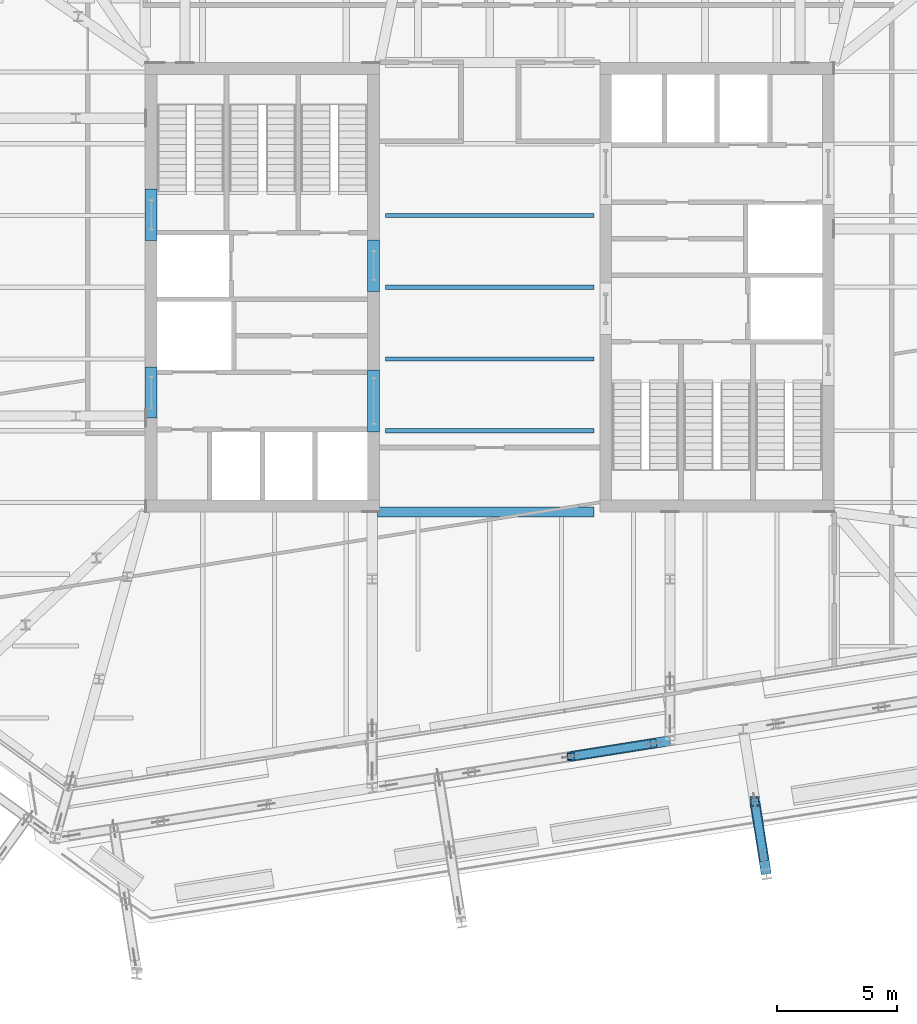
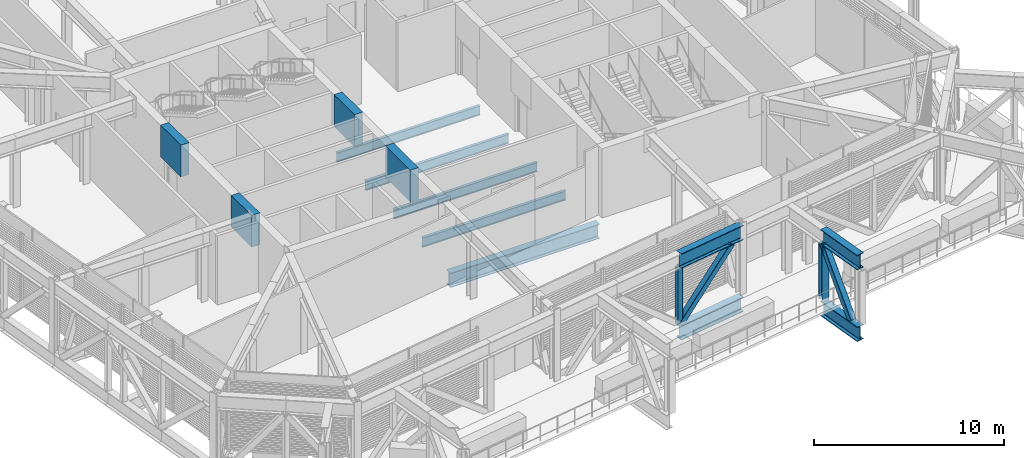
# One storey, part 8 of 35: 13 beams, 4 members.
"""IFC4 building model written with IfcOpenShell, lengths in metres."""

from ifc_helpers import new_model, si_unit, direction, frame, origin, origin_2d, place, context, subcontext, project, spatial, rectangle, hollow_rectangle, i_section, extrude, material, material_profile, profile_set, type_object, element, save


model = new_model("IFC4")

# Units and contexts
model_context = context("Model", 3, precision=1e-05, world=origin(), true_north=direction((0.0, 1.0)))
body_context = subcontext(model_context, "Body", "Model", "MODEL_VIEW")
ifc_project = project(units=[si_unit("LENGTHUNIT", "METRE"), si_unit("AREAUNIT", "SQUARE_METRE"), si_unit("VOLUMEUNIT", "CUBIC_METRE"), si_unit("PLANEANGLEUNIT", "RADIAN"), si_unit("MASSUNIT", "GRAM", prefix="KILO")], contexts=[model_context])

# Site, building, storey
site_placement = place(None, origin())
site = spatial("IfcSite", under=ifc_project, at=site_placement, CompositionType="ELEMENT")
building_placement = place(site_placement, origin())
building = spatial("IfcBuilding", under=site, at=building_placement, Name="Millrace Tower", CompositionType="ELEMENT")
storey_placement = place(building_placement, frame((0.0, 0.0, 200.10009765625)))
storey = spatial("IfcBuildingStorey", under=building, at=storey_placement, Name="L45", CompositionType="ELEMENT", Elevation=200.10009765625)

# Beams
ifc_material_1 = material(Name="Concrete C60", Category="concrete")
ifc_material_profile_1 = material_profile(ifc_material_1, rectangle(XDim=0.5, YDim=2.0400390625, at=origin_2d()))
ifc_profile_set_1 = profile_set([ifc_material_profile_1], Name="Concrete C60")
beam_type_1 = type_object("IfcBeamType", Name="Coupling beam 500 x 2040 Concrete C60, 1300 opening", PredefinedType="BEAM", material=ifc_profile_set_1)
beam_1_placement = place(storey_placement, frame((-14.14990234375, 1.958984375, 3.419921875), z_axis=(0.0, 1.0, 0.0), x_axis=(-1.0, 0.0, 0.0)))
element("IfcBeam", 1, at=beam_1_placement, inside=storey, type_object=beam_type_1, Name="Coupling beam W L45", PredefinedType="BEAM", context=body_context, shape_type="SweptSolid", body=[
    extrude(rectangle(XDim=0.5, YDim=2.0400390625, at=origin_2d()), origin(), (0.0, 0.0, 1.0), 2.14208984375),
])
beam_2_placement = place(storey_placement, frame((-4.85009765625, -0.1708984375, 3.419921875), z_axis=(0.0, 1.0, 0.0), x_axis=(-1.0, 0.0, 0.0)))
element("IfcBeam", 2, at=beam_2_placement, inside=storey, type_object=beam_type_1, Name="Coupling beam W L45", PredefinedType="BEAM", context=body_context, shape_type="SweptSolid", body=[
    extrude(rectangle(XDim=0.5, YDim=2.0400390625, at=origin_2d()), origin(), (0.0, 0.0, 1.0), 2.141845703125),
])
ifc_material_2 = material(Name="Concrete C60", Category="concrete")
ifc_material_profile_2 = material_profile(ifc_material_2, rectangle(XDim=0.5, YDim=2.0400390625, at=origin_2d()))
ifc_profile_set_2 = profile_set([ifc_material_profile_2], Name="Concrete C60")
beam_type_2 = type_object("IfcBeamType", Name="Coupling beam 500 x 2040 Concrete C60, 1400 opening", PredefinedType="BEAM", material=ifc_profile_set_2)
beam_3_placement = place(storey_placement, frame((-14.14990234375, -5.470947265625, 3.419921875), z_axis=(0.0, 1.0, 0.0), x_axis=(-1.0, 0.0, 0.0)))
element("IfcBeam", 3, at=beam_3_placement, inside=storey, type_object=beam_type_2, Name="Coupling beam W L45", PredefinedType="BEAM", context=body_context, shape_type="SweptSolid", body=[
    extrude(rectangle(XDim=0.5, YDim=2.0400390625, at=origin_2d()), origin(), (0.0, 0.0, 1.0), 2.141845703125),
])
ifc_material_3 = material(Name="Concrete C60", Category="concrete")
ifc_material_profile_3 = material_profile(ifc_material_3, rectangle(XDim=0.5, YDim=2.0400390625, at=origin_2d()))
ifc_profile_set_3 = profile_set([ifc_material_profile_3], Name="Concrete C60")
beam_type_3 = type_object("IfcBeamType", Name="Coupling beam 500 x 2040 Concrete C60, 2000 opening", PredefinedType="BEAM", material=ifc_profile_set_3)
beam_4_placement = place(storey_placement, frame((-4.85009765625, -6.050048828125, 3.419921875), z_axis=(0.0, 1.0, 0.0), x_axis=(-1.0, 0.0, 0.0)))
element("IfcBeam", 4, at=beam_4_placement, inside=storey, type_object=beam_type_3, Name="Coupling beam W L45", PredefinedType="BEAM", context=body_context, shape_type="SweptSolid", body=[
    extrude(rectangle(XDim=0.5, YDim=2.0400390625, at=origin_2d()), origin(), (0.0, 0.0, 1.0), 2.60009765625),
])
ifc_material_4 = material(Name="Steel ASTM A992 Grade 50", Category="steel")
ifc_material_profile_4 = material_profile(ifc_material_4, i_section(OverallWidth=0.177978515625, OverallDepth=0.599365234375, WebThickness=0.010009765625, FlangeThickness=0.012939453125, FilletRadius=0.012939453125, at=origin_2d()))
ifc_profile_set_4 = profile_set([ifc_material_profile_4], Name="Steel ASTM A992 Grade 50")
beam_type_4 = type_object("IfcBeamType", Name="Floor beam W24x55", PredefinedType="JOIST", material=ifc_profile_set_4)
for number, where, z_axis, x_axis, name in (
    (5, (-4.35009765625, -6.0, -0.459716796875), (1.0, 0.0, 0.0), (0.0, 1.0, 0.0), "BM-D-L45-S1-S008"),
    (6, (-4.35009765625, -3.0, -0.459716796875), (1.0, 0.0, 0.0), (0.0, 1.0, 0.0), "BM-D-L45-S1-S011"),
    (7, (-4.35009765625, 0.0, -0.459716796875), (1.0, 0.0, 0.0), (0.0, 1.0, 0.0), "BM-D-L45-S1-S014"),
    (8, (-4.35009765625, 3.0, -0.459716796875), (1.0, 0.0, 0.0), (0.0, 1.0, 0.0), "BM-D-L45-S1-S017"),
):
    element("IfcBeam", number, at=place(storey_placement, frame(where, z_axis=z_axis, x_axis=x_axis)), inside=storey, type_object=beam_type_4, Name=name, PredefinedType="JOIST", context=body_context, shape_type="SweptSolid", body=[
        extrude(i_section(OverallWidth=0.177978515625, OverallDepth=0.599365234375, WebThickness=0.010009765625, FlangeThickness=0.012939453125, FilletRadius=0.012939453125, at=origin_2d()), origin(), (0.0, 0.0, 1.0), 8.7001953125),
    ])
ifc_material_5 = material(Name="Steel ASTM A992 Grade 50", Category="steel")
ifc_material_profile_5 = material_profile(ifc_material_5, i_section(OverallWidth=0.419189453125, OverallDepth=0.927001953125, WebThickness=0.019287109375, FlangeThickness=0.031982421875, FilletRadius=0.024169921875, at=origin_2d()))
ifc_profile_set_5 = profile_set([ifc_material_profile_5], Name="Steel ASTM A992 Grade 50")
beam_type_5 = type_object("IfcBeamType", Name="Girder short span W36x231", PredefinedType="BEAM", material=ifc_profile_set_5)
beam_5_placement = place(storey_placement, frame((-4.697998046875, -9.39990234375, -0.62353515625), z_axis=(1.0, 0.0, 0.0), x_axis=(0.0, 1.0, 0.0)))
element("IfcBeam", 9, at=beam_5_placement, inside=storey, type_object=beam_type_5, Name="BM-D-L45-S1-G059", PredefinedType="BEAM", context=body_context, shape_type="SweptSolid", body=[
    extrude(i_section(OverallWidth=0.419189453125, OverallDepth=0.927001953125, WebThickness=0.019287109375, FlangeThickness=0.031982421875, FilletRadius=0.024169921875, at=origin_2d()), origin(), (0.0, 0.0, 1.0), 9.048095703125),
])

# Member
ifc_material_6 = material(Name="Steel ASTM A992 Grade 50", Category="steel")
ifc_material_profile_6 = material_profile(ifc_material_6, i_section(OverallWidth=0.40380859375, OverallDepth=0.406494140625, WebThickness=0.027099609375, FlangeThickness=0.043701171875, FilletRadius=0.01513671875, at=origin_2d()))
ifc_profile_set_6 = profile_set([ifc_material_profile_6], Name="Steel ASTM A992 Grade 50")
member_type_1 = type_object("IfcMemberType", Name="Transfer truss Vierendeel moment post W14x233", PredefinedType="POST", material=ifc_profile_set_6)
member_1_placement = place(storey_placement, frame((11.080078125, -21.4990234375, -0.16015625), z_axis=(0.0, 0.0, 1.0), x_axis=(1.0, 0.0, 0.0)))
element("IfcMember", 10, at=member_1_placement, inside=storey, type_object=member_type_1, Name="TRS-L45-B-C-X04-V01", PredefinedType="POST", context=body_context, shape_type="SweptSolid", body=[
    extrude(i_section(OverallWidth=0.40380859375, OverallDepth=0.406494140625, WebThickness=0.027099609375, FlangeThickness=0.043701171875, FilletRadius=0.01513671875, at=origin_2d()), origin(), (0.0, 0.0, 1.0), 3.652587890625),
])

# Beams
ifc_material_7 = material(Name="Steel ASTM A992 Grade 50", Category="steel")
ifc_material_profile_7 = material_profile(ifc_material_7, i_section(OverallWidth=0.424072265625, OverallDepth=0.947509765625, WebThickness=0.02392578125, FlangeThickness=0.042724609375, FilletRadius=0.024169921875, at=origin_2d()))
ifc_profile_set_7 = profile_set([ifc_material_profile_7], Name="Steel ASTM A992 Grade 50")
beam_type_6 = type_object("IfcBeamType", Name="Transfer truss chord W36x302", PredefinedType="BEAM", material=ifc_profile_set_7)
for number, where, z_axis, x_axis, name in (
    (11, (3.385009765625, -19.61376953125, -0.6337890625), (0.987689328781, 0.156428225752, 0.0), (-0.156428225752, 0.987689328781, 0.0), "TRS-L45-R03-B03"),
    (12, (3.385009765625, -19.61376953125, 3.96630859375), (0.987689328781, 0.156428225752, 0.0), (-0.156428225752, 0.987689328781, 0.0), "TRS-L45-R03-T03"),
):
    element("IfcBeam", number, at=place(storey_placement, frame(where, z_axis=z_axis, x_axis=x_axis)), inside=storey, type_object=beam_type_6, Name=name, PredefinedType="BEAM", context=body_context, shape_type="SweptSolid", body=[
        extrude(i_section(OverallWidth=0.424072265625, OverallDepth=0.947509765625, WebThickness=0.02392578125, FlangeThickness=0.042724609375, FilletRadius=0.024169921875, at=origin_2d()), origin(), (0.0, 0.0, 1.0), 4.199951171875),
    ])
for number, where, z_axis, x_axis, name in (
    (13, (11.5595703125, -24.527099609375, -0.6337890625), (-0.15640011174, 0.987693781011, 0.0), (-0.987693781011, -0.15640011174, 0.0), "TRS-L45-B-C-X04-B01"),
    (14, (11.5595703125, -24.527099609375, 3.96630859375), (-0.15640011174, 0.987693781011, 0.0), (-0.987693781011, -0.15640011174, 0.0), "TRS-L45-B-C-X04-T01"),
):
    element("IfcBeam", number, at=place(storey_placement, frame(where, z_axis=z_axis, x_axis=x_axis)), inside=storey, type_object=beam_type_6, Name=name, PredefinedType="BEAM", context=body_context, shape_type="SweptSolid", body=[
        extrude(i_section(OverallWidth=0.424072265625, OverallDepth=0.947509765625, WebThickness=0.02392578125, FlangeThickness=0.042724609375, FilletRadius=0.024169921875, at=origin_2d()), origin(), (0.0, 0.0, 1.0), 3.06591796875),
    ])

# Members
ifc_material_8 = material(Name="Steel ASTM A500 Grade C", Category="steel")
ifc_material_profile_8 = material_profile(ifc_material_8, hollow_rectangle(XDim=0.355712890625, YDim=0.355712890625, WallThickness=0.015869140625, InnerFilletRadius=0.008056640625, OuterFilletRadius=0.02392578125, at=origin_2d()))
ifc_profile_set_8 = profile_set([ifc_material_profile_8], Name="Steel ASTM A500 Grade C")
member_type_2 = type_object("IfcMemberType", Name="Transfer truss diagonal HSS14x14x5/8", PredefinedType="BRACE", material=ifc_profile_set_8)
member_2_placement = place(storey_placement, frame((3.385009765625, -19.61376953125, -0.16015625), z_axis=(0.683332349628, 0.108250191413, 0.722037946379), x_axis=(-0.156464046744, 0.987683654859, 0.0)))
element("IfcMember", 15, at=member_2_placement, inside=storey, type_object=member_type_2, Name="TRS-L45-R03-D03", PredefinedType="BRACE", context=body_context, shape_type="SweptSolid", body=[
    extrude(hollow_rectangle(XDim=0.355712890625, YDim=0.355712890625, WallThickness=0.015869140625, InnerFilletRadius=0.008056640625, OuterFilletRadius=0.02392578125, at=origin_2d()), origin(), (0.0, 0.0, 1.0), 5.058837890625),
])
member_3_placement = place(storey_placement, frame((11.4501953125, -23.835693359375, -0.16015625), z_axis=(-0.085048661016, 0.536939798541, 0.839322570888), x_axis=(-0.987686705872, -0.156444785926, 0.0)))
element("IfcMember", 16, at=member_3_placement, inside=storey, type_object=member_type_2, Name="TRS-L45-B-C-X04-D01", PredefinedType="BRACE", context=body_context, shape_type="SweptSolid", body=[
    extrude(hollow_rectangle(XDim=0.355712890625, YDim=0.355712890625, WallThickness=0.015869140625, InnerFilletRadius=0.008056640625, OuterFilletRadius=0.02392578125, at=origin_2d()), origin(), (0.0, 0.0, 1.0), 4.351806640625),
])
ifc_material_9 = material(Name="Steel ASTM A500 Grade C", Category="steel")
ifc_material_profile_9 = material_profile(ifc_material_9, hollow_rectangle(XDim=0.3046875, YDim=0.3046875, WallThickness=0.0126953125, InnerFilletRadius=0.00634765625, OuterFilletRadius=0.01904296875, at=origin_2d()))
ifc_profile_set_9 = profile_set([ifc_material_profile_9], Name="Steel ASTM A500 Grade C")
member_type_3 = type_object("IfcMemberType", Name="Transfer truss post HSS12x12x1/2", PredefinedType="POST", material=ifc_profile_set_9)
member_4_placement = place(storey_placement, frame((3.385009765625, -19.61376953125, -0.16015625), z_axis=(0.0, 0.0, 1.0), x_axis=(1.0, 0.0, 0.0)))
element("IfcMember", 17, at=member_4_placement, inside=storey, type_object=member_type_3, Name="TRS-L45-R03-V02", PredefinedType="POST", context=body_context, shape_type="SweptSolid", body=[
    extrude(hollow_rectangle(XDim=0.3046875, YDim=0.3046875, WallThickness=0.0126953125, InnerFilletRadius=0.00634765625, OuterFilletRadius=0.01904296875, at=origin_2d()), origin(), (0.0, 0.0, 1.0), 3.652587890625),
])

save(model, "model.ifc")
